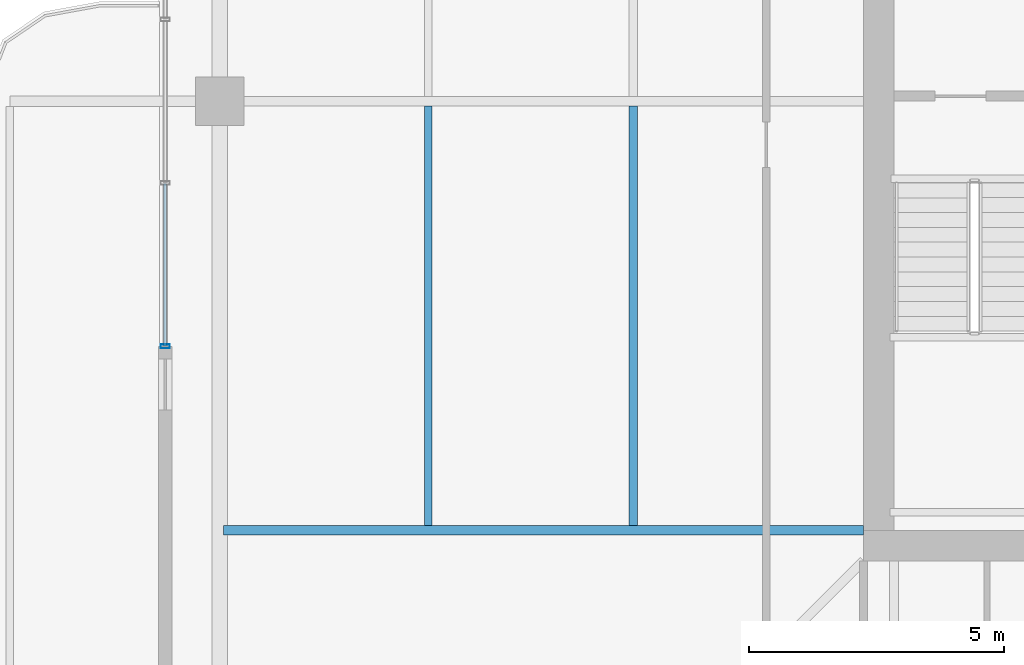
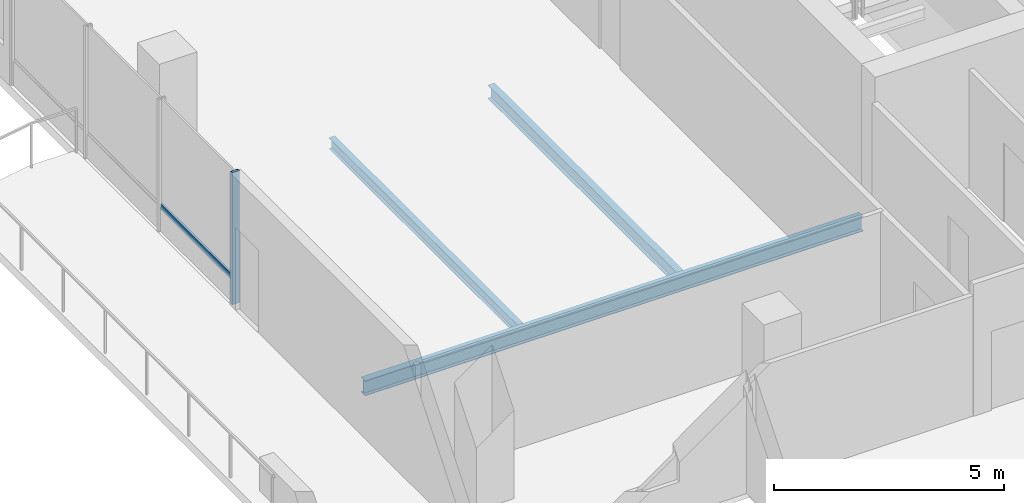
# One storey, part 5 of 18: 3 beams, 2 members, 1 element without a shape of its own.
"""IFC4 building model written with IfcOpenShell, lengths in metres."""

from ifc_helpers import new_model, si_unit, direction, frame, origin, origin_2d, place, context, subcontext, project, spatial, hollow_rectangle, i_section, extrude, material, layer, layer_set, material_profile, profile_set, type_object, element, aggregate, save


model = new_model("IFC4")

# Units and contexts
model_context = context("Model", 3, precision=1e-05, world=origin(), true_north=direction((0.0, 1.0)))
body_context = subcontext(model_context, "Body", "Model", "MODEL_VIEW")
ifc_project = project(units=[si_unit("LENGTHUNIT", "METRE"), si_unit("AREAUNIT", "SQUARE_METRE"), si_unit("VOLUMEUNIT", "CUBIC_METRE"), si_unit("PLANEANGLEUNIT", "RADIAN"), si_unit("MASSUNIT", "GRAM", prefix="KILO")], contexts=[model_context])

# Site, building, storey
site_placement = place(None, origin())
site = spatial("IfcSite", under=ifc_project, at=site_placement, CompositionType="ELEMENT")
building_placement = place(site_placement, origin())
building = spatial("IfcBuilding", under=site, at=building_placement, Name="Belovzor Exchange Tower", CompositionType="ELEMENT")
storey_placement = place(building_placement, frame((0.0, 0.0, 310.5)))
storey = spatial("IfcBuildingStorey", under=building, at=storey_placement, Name="L77", CompositionType="ELEMENT", Elevation=310.5)

# Beams
ifc_material_1 = material(Name="Steel S355", Category="steel")
ifc_material_profile_1 = material_profile(ifc_material_1, i_section(OverallWidth=0.169921875, OverallDepth=0.360107421875, WebThickness=0.008056640625, FlangeThickness=0.0126953125, at=origin_2d()))
ifc_profile_set_1 = profile_set([ifc_material_profile_1], Name="Steel S355")
beam_type_1 = type_object("IfcBeamType", Name="Secondary Infill Floor Joist IPE 360", PredefinedType="BEAM", material=ifc_profile_set_1)
beam_1_placement = place(storey_placement, frame((15.291015625, 20.489990234375, -0.419921875), z_axis=(0.0, 1.0, 0.0), x_axis=(-1.0, 0.0, 0.0)))
element("IfcBeam", 1, at=beam_1_placement, inside=storey, type_object=beam_type_1, Name="FJ-360 Secondary Infill Floor Joist IPE 360", PredefinedType="BEAM", context=body_context, shape_type="SweptSolid", body=[
    extrude(i_section(OverallWidth=0.169921875, OverallDepth=0.360107421875, WebThickness=0.008056640625, FlangeThickness=0.0126953125, at=origin_2d()), origin(), (0.0, 0.0, 1.0), 8.219970703125),
])
ifc_material_2 = material(Name="Steel S355", Category="steel")
ifc_material_profile_2 = material_profile(ifc_material_2, i_section(OverallWidth=0.14990234375, OverallDepth=0.300048828125, WebThickness=0.007080078125, FlangeThickness=0.0107421875, at=origin_2d()))
ifc_profile_set_2 = profile_set([ifc_material_profile_2], Name="Steel S355")
beam_type_2 = type_object("IfcBeamType", Name="Secondary Trim Floor Joist IPE 300", PredefinedType="BEAM", material=ifc_profile_set_2)
beam_2_placement = place(storey_placement, frame((11.282958984375, 20.489990234375, -0.389892578125), z_axis=(0.0, 1.0, 0.0), x_axis=(-1.0, 0.0, 0.0)))
element("IfcBeam", 2, at=beam_2_placement, inside=storey, type_object=beam_type_2, Name="FJ-300 Secondary Trim Floor Joist IPE 300", PredefinedType="BEAM", context=body_context, shape_type="SweptSolid", body=[
    extrude(i_section(OverallWidth=0.14990234375, OverallDepth=0.300048828125, WebThickness=0.007080078125, FlangeThickness=0.0107421875, at=origin_2d()), origin(), (0.0, 0.0, 1.0), 8.219970703125),
])

# Curtain wall, members
ifc_material_3 = material(Name="Anodised Aluminium Framing", Category="aluminium")
ifc_layer = layer(ifc_material_3, 0.179931640625)
ifc_layer_set = layer_set([ifc_layer], Name="Anodised Aluminium Framing")
curtain_wall_type = type_object("IfcCurtainWallType", Name="Recessed Loggia Low-Iron Triple-Glazed Curtain Wall", PredefinedType="NOTDEFINED", material=ifc_layer_set)
curtain_wall_placement = place(storey_placement, origin())
curtain_wall = element("IfcCurtainWall", 3, at=curtain_wall_placement, inside=storey, type_object=curtain_wall_type, Name="CW3 Recessed Loggia Low-Iron Triple-Glazed Curtain Wall L77", PredefinedType="NOTDEFINED")
ifc_material_4 = material(Name="Steel S355", Category="steel")
ifc_material_profile_3 = material_profile(ifc_material_4, hollow_rectangle(XDim=0.074951171875, YDim=0.179931640625, WallThickness=0.0048828125, at=origin_2d()))
ifc_profile_set_3 = profile_set([ifc_material_profile_3], Name="Steel S355")
member_type_1 = type_object("IfcMemberType", Name="Thermally Broken Curtain Wall Mullion 180x75", PredefinedType="MULLION", material=ifc_profile_set_3)
member_1_placement = place(storey_placement, frame((6.1298828125, 24.0, 0.0), z_axis=(0.0, 0.0, 1.0), x_axis=(0.0, 1.0, 0.0)))
member_1 = element("IfcMember", 4, at=member_1_placement, type_object=member_type_1, Name="CW-M180 Curtain Wall Mullion 1", PredefinedType="MULLION", context=body_context, shape_type="SweptSolid", body=[
    extrude(hollow_rectangle(XDim=0.074951171875, YDim=0.179931640625, WallThickness=0.0048828125, at=origin_2d()), origin(), (0.0, 0.0, 1.0), 3.510009765625),
])
ifc_material_5 = material(Name="Steel S355", Category="steel")
ifc_material_profile_4 = material_profile(ifc_material_5, hollow_rectangle(XDim=0.06005859375, YDim=0.14990234375, WallThickness=0.00390625, at=origin_2d()))
ifc_profile_set_4 = profile_set([ifc_material_profile_4], Name="Steel S355")
member_type_2 = type_object("IfcMemberType", Name="Thermally Broken Curtain Wall Transom 150x60", PredefinedType="USERDEFINED", material=ifc_profile_set_4)
member_2_placement = place(storey_placement, frame((6.1298828125, 24.008056640625, 0.632080078125), z_axis=(0.0, 1.0, 0.0), x_axis=(-1.0, 0.0, 0.0)))
member_2 = element("IfcMember", 5, at=member_2_placement, type_object=member_type_2, Name="CW-T150 Curtain Wall Transom 1", ObjectType="TRANSOM", PredefinedType="USERDEFINED", context=body_context, shape_type="SweptSolid", body=[
    extrude(hollow_rectangle(XDim=0.06005859375, YDim=0.14990234375, WallThickness=0.00390625, at=origin_2d()), origin(), (0.0, 0.0, 1.0), 3.183837890625),
])
aggregate(curtain_wall, [member_1, member_2])

# Beam
ifc_material_6 = material(Name="Steel S355", Category="steel")
ifc_material_profile_5 = material_profile(ifc_material_6, i_section(OverallWidth=0.179931640625, OverallDepth=0.39990234375, WebThickness=0.008544921875, FlangeThickness=0.013427734375, at=origin_2d()))
ifc_profile_set_5 = profile_set([ifc_material_profile_5], Name="Steel S355")
beam_type_3 = type_object("IfcBeamType", Name="Zone 5-6 Radial Composite Floor Beam IPE 400", PredefinedType="BEAM", material=ifc_profile_set_5)
beam_3_placement = place(storey_placement, frame((19.800048828125, 20.39990234375, -0.43994140625), z_axis=(-1.0, 0.0, 0.0), x_axis=(0.0, -1.0, 0.0)))
element("IfcBeam", 6, at=beam_3_placement, inside=storey, type_object=beam_type_3, Name="FB-400 Zone 5-6 Radial Composite Floor Beam IPE 400", PredefinedType="BEAM", context=body_context, shape_type="SweptSolid", body=[
    extrude(i_section(OverallWidth=0.179931640625, OverallDepth=0.39990234375, WebThickness=0.008544921875, FlangeThickness=0.013427734375, at=origin_2d()), origin(), (0.0, 0.0, 1.0), 12.525146484375),
])

save(model, "model.ifc")
